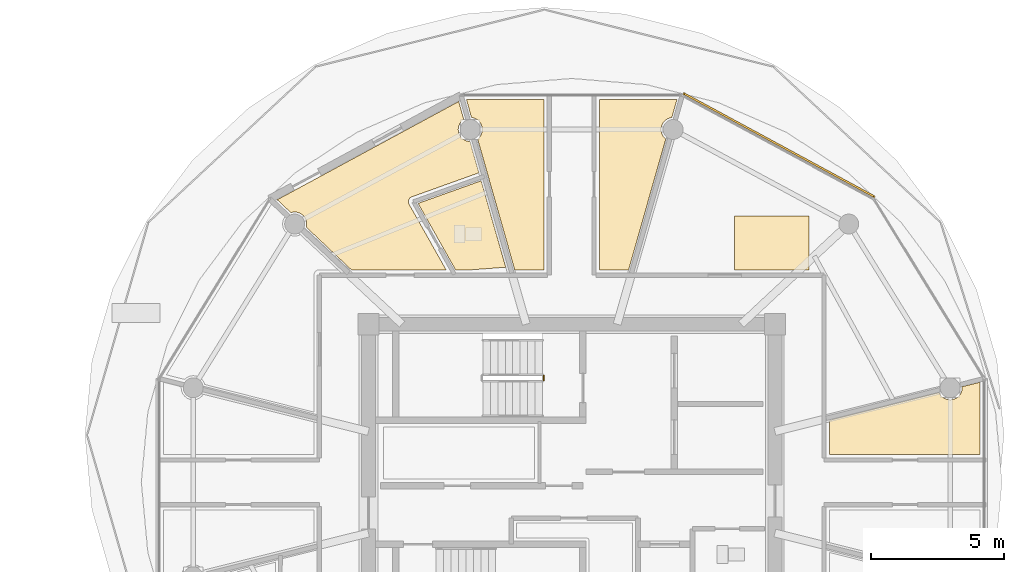
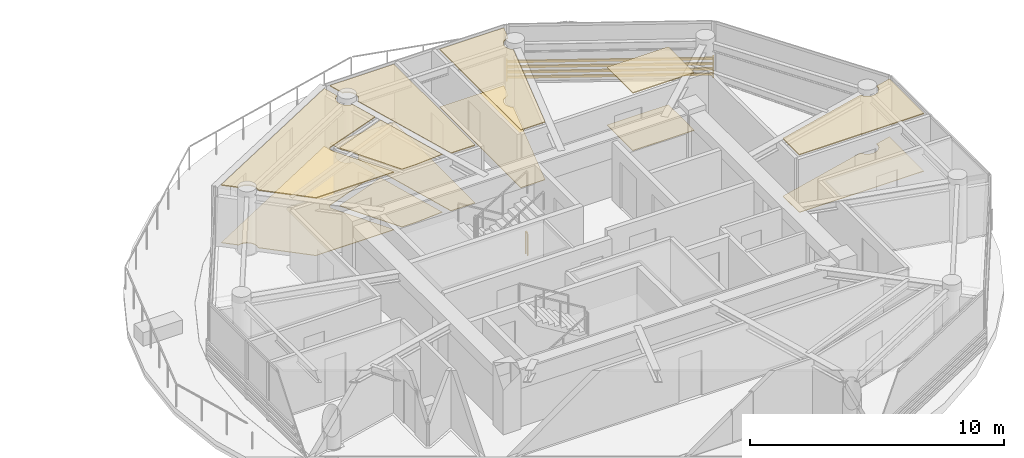
# One storey, part 26 of 28: 12 coverings, 1 railing, 1 shading device.
"""IFC4 building model written with IfcOpenShell, lengths in metres."""

from ifc_helpers import new_model, si_unit, direction, frame, origin, origin_2d, place, context, subcontext, project, spatial, polyline, rectangle, outline, extrude, source, transform, mapped, material, layer, layer_set, type_object, type_shapes, element, save


model = new_model("IFC4")

# Units and contexts
model_context = context("Model", 3, precision=1e-05, world=origin(), true_north=direction((0.0, 1.0)))
body_context = subcontext(model_context, "Body", "Model", "MODEL_VIEW")
ifc_project = project(units=[si_unit("LENGTHUNIT", "METRE"), si_unit("AREAUNIT", "SQUARE_METRE"), si_unit("VOLUMEUNIT", "CUBIC_METRE"), si_unit("PLANEANGLEUNIT", "RADIAN"), si_unit("MASSUNIT", "GRAM", prefix="KILO")], contexts=[model_context])

# Site, building, storey
site_placement = place(None, origin())
site = spatial("IfcSite", under=ifc_project, at=site_placement, CompositionType="ELEMENT")
building_placement = place(site_placement, origin())
building = spatial("IfcBuilding", under=site, at=building_placement, Name="Norrkilde Senior Care Towers", CompositionType="ELEMENT")
storey_placement = place(building_placement, frame((0.0, 0.0, 190.64990234375)))
storey = spatial("IfcBuildingStorey", under=building, at=storey_placement, Name="L59", CompositionType="ELEMENT", Elevation=190.64990234375)

# Coverings
ifc_material_1 = material(Name="Nordic Ash Timber", Category="wood")
ifc_layer_1 = layer(ifc_material_1, 0.044921875)
ifc_layer_set_1 = layer_set([ifc_layer_1], Name="Nordic Ash Timber")
covering_type_1 = type_object("IfcCoveringType", Name="Acoustic Ash Timber Slatted Ceiling 45", PredefinedType="CEILING", material=ifc_layer_set_1)
covering_1_placement = place(storey_placement, frame((0.0, 0.0, 2.76513671875)))
element("IfcCovering", 1, at=covering_1_placement, inside=storey, type_object=covering_type_1, Name="L59 Suspended Ceiling 0358", PredefinedType="CEILING", context=body_context, shape_type="SweptSolid", body=[
    extrude(outline(polyline([(26.9599609375, 14.407470703125), (26.9599609375, 8.0), (25.855224609375, 8.0), (24.458251953125, 12.924560546875), (24.504150390625, 12.959716796875), (24.576416015625, 13.053955078125), (24.621826171875, 13.163818359375), (24.637451171875, 13.281494140625), (24.621826171875, 13.399169921875), (24.576416015625, 13.509033203125), (24.504150390625, 13.603271484375), (24.409912109375, 13.675537109375), (24.30029296875, 13.720947265625), (24.229736328125, 13.730224609375), (24.03759765625, 14.407470703125), (26.9599609375, 14.407470703125)])), origin(), (0.0, 0.0, 1.0), 0.044921875),
])
covering_2_placement = place(storey_placement, frame((0.0, 0.0, 2.76513671875)))
element("IfcCovering", 2, at=covering_2_placement, inside=storey, type_object=covering_type_1, Name="L59 Suspended Ceiling 0359", PredefinedType="CEILING", context=body_context, shape_type="SweptSolid", body=[
    extrude(outline(polyline([(31.96240234375, 14.407470703125), (31.770263671875, 13.730224609375), (31.69970703125, 13.720947265625), (31.590087890625, 13.675537109375), (31.495849609375, 13.603271484375), (31.423583984375, 13.509033203125), (31.378173828125, 13.399169921875), (31.362548828125, 13.281494140625), (31.378173828125, 13.163818359375), (31.423583984375, 13.053955078125), (31.495849609375, 12.959716796875), (31.541748046875, 12.924560546875), (30.144775390625, 8.0), (29.0400390625, 8.0), (29.0400390625, 14.407470703125), (31.96240234375, 14.407470703125)])), origin(), (0.0, 0.0, 1.0), 0.044921875),
])
covering_3_placement = place(storey_placement, frame((0.0, 0.0, 2.76513671875)))
element("IfcCovering", 3, at=covering_3_placement, inside=storey, type_object=covering_type_1, Name="L59 Suspended Ceiling 0361", PredefinedType="CEILING", context=body_context, shape_type="SweptSolid", body=[
    extrude(outline(polyline([(43.37353515625, 1.0400390625), (37.699951171875, 1.0400390625), (37.699951171875, 2.331298828125), (41.834228515625, 3.377685546875), (41.853271484375, 3.331298828125), (41.92578125, 3.237060546875), (42.02001953125, 3.164794921875), (42.129638671875, 3.119384765625), (42.247314453125, 3.103759765625), (42.365234375, 3.119384765625), (42.474853515625, 3.164794921875), (42.569091796875, 3.237060546875), (42.641357421875, 3.331298828125), (42.68701171875, 3.44091796875), (42.702392578125, 3.558837890625), (42.697509765625, 3.59619140625), (43.37353515625, 3.76708984375), (43.37353515625, 1.0400390625)])), origin(), (0.0, 0.0, 1.0), 0.044921875),
])
covering_4_placement = place(storey_placement, frame((0.0, 0.0, 2.76513671875)))
element("IfcCovering", 4, at=covering_4_placement, inside=storey, type_object=covering_type_1, Name="L59 Suspended Ceiling 0362", PredefinedType="CEILING", context=body_context, shape_type="SweptSolid", body=[
    extrude(outline(polyline([(34.134765625, 10.033935546875), (36.934814453125, 10.033935546875), (36.934814453125, 8.0), (34.134765625, 8.0), (34.134765625, 10.033935546875)])), origin(), (0.0, 0.0, 1.0), 0.044921875),
])
covering_5_placement = place(storey_placement, frame((0.0, 0.0, 2.76513671875)))
element("IfcCovering", 5, at=covering_5_placement, inside=storey, type_object=covering_type_1, Name="L59 Suspended Ceiling 0363", PredefinedType="CEILING", context=body_context, shape_type="SweptSolid", body=[
    extrude(outline(polyline([(21.9404296875, 10.7255859375), (21.934814453125, 10.7216796875), (21.925537109375, 10.71484375), (21.920166015625, 10.710693359375), (21.91162109375, 10.702880859375), (21.90673828125, 10.6982421875), (21.89892578125, 10.689697265625), (21.89453125, 10.684326171875), (21.8876953125, 10.675048828125), (21.8837890625, 10.66943359375), (21.877685546875, 10.65966796875), (21.87451171875, 10.65380859375), (21.869384765625, 10.643310546875), (21.86669921875, 10.63720703125), (21.86279296875, 10.626220703125), (21.860595703125, 10.619873046875), (21.857666015625, 10.608642578125), (21.856201171875, 10.60205078125), (21.8544921875, 10.590576171875), (21.853515625, 10.583740234375), (21.852783203125, 10.572265625), (21.852783203125, 10.5654296875), (21.85302734375, 10.553955078125), (21.853515625, 10.547119140625), (21.85498046875, 10.53564453125), (21.856201171875, 10.529052734375), (21.85888671875, 10.517578125), (21.860595703125, 10.51123046875), (21.8642578125, 10.500244140625), (21.86669921875, 10.493896484375), (21.871337890625, 10.483154296875), (21.87451171875, 10.47705078125), (21.877197265625, 10.471923828125), (23.27099609375, 8.0), (19.705322265625, 8.0), (18.0087890625, 9.6025390625), (18.009765625, 9.60498046875), (18.025146484375, 9.72265625), (18.009765625, 9.840576171875), (17.964111328125, 9.9501953125), (17.891845703125, 10.04443359375), (17.797607421875, 10.11669921875), (17.68798828125, 10.162109375), (17.570068359375, 10.177734375), (17.452392578125, 10.162109375), (17.42724609375, 10.15185546875), (16.91357421875, 10.636962890625), (23.746337890625, 14.335693359375), (23.937255859375, 13.662109375), (23.860595703125, 13.603271484375), (23.788330078125, 13.509033203125), (23.742919921875, 13.399169921875), (23.7275390625, 13.281494140625), (23.742919921875, 13.163818359375), (23.788330078125, 13.053955078125), (23.860595703125, 12.959716796875), (23.954833984375, 12.887451171875), (24.064697265625, 12.842041015625), (24.174072265625, 12.82763671875), (24.508056640625, 11.650634765625), (21.978515625, 10.744140625), (21.97314453125, 10.7421875), (21.966796875, 10.739501953125), (21.956298828125, 10.734619140625), (21.950439453125, 10.7314453125), (21.9404296875, 10.7255859375)])), origin(), (0.0, 0.0, 1.0), 0.044921875),
])
ifc_material_2 = material(Name="Gypsum Acoustic Board")
ifc_layer_2 = layer(ifc_material_2, 0.030029296875)
ifc_layer_set_2 = layer_set([ifc_layer_2], Name="Gypsum Acoustic Board")
covering_type_2 = type_object("IfcCoveringType", Name="Medical Cleanable Gypsum Ceiling 30", PredefinedType="CEILING", material=ifc_layer_set_2)
covering_6_placement = place(storey_placement, frame((0.0, 0.0, 2.780029296875)))
element("IfcCovering", 6, at=covering_6_placement, inside=storey, type_object=covering_type_2, Name="L59 Suspended Ceiling 0364", PredefinedType="CEILING", context=body_context, shape_type="SweptSolid", body=[
    extrude(outline(polyline([(22.217041015625, 10.50048828125), (24.5927734375, 11.3515625), (25.516357421875, 8.095458984375), (24.24609375, 8.0), (23.626953125, 8.0), (22.217041015625, 10.50048828125)])), origin(), (0.0, 0.0, 1.0), 0.030029296875),
])
ifc_material_3 = material(Name="Slip-Resistant Porcelain Stone", Category="masonry")
ifc_layer_3 = layer(ifc_material_3, 0.02490234375)
ifc_layer_set_3 = layer_set([ifc_layer_3], Name="Slip-Resistant Porcelain Stone")
covering_type_3 = type_object("IfcCoveringType", Name="Slip-Resistant Porcelain Flooring 25", PredefinedType="FLOORING", material=ifc_layer_set_3)
covering_7_placement = place(storey_placement, origin())
element("IfcCovering", 7, at=covering_7_placement, inside=storey, type_object=covering_type_3, Name="L59 Floor Finish 0358", PredefinedType="FLOORING", context=body_context, shape_type="SweptSolid", body=[
    extrude(outline(polyline([(26.9599609375, 14.407470703125), (26.9599609375, 8.0), (25.855224609375, 8.0), (24.458251953125, 12.924560546875), (24.504150390625, 12.959716796875), (24.576416015625, 13.053955078125), (24.621826171875, 13.163818359375), (24.637451171875, 13.281494140625), (24.621826171875, 13.399169921875), (24.576416015625, 13.509033203125), (24.504150390625, 13.603271484375), (24.409912109375, 13.675537109375), (24.30029296875, 13.720947265625), (24.229736328125, 13.730224609375), (24.03759765625, 14.407470703125), (26.9599609375, 14.407470703125)])), origin(), (0.0, 0.0, 1.0), 0.025146484375),
])
covering_8_placement = place(storey_placement, origin())
element("IfcCovering", 8, at=covering_8_placement, inside=storey, type_object=covering_type_3, Name="L59 Floor Finish 0359", PredefinedType="FLOORING", context=body_context, shape_type="SweptSolid", body=[
    extrude(outline(polyline([(31.96240234375, 14.407470703125), (31.770263671875, 13.730224609375), (31.69970703125, 13.720947265625), (31.590087890625, 13.675537109375), (31.495849609375, 13.603271484375), (31.423583984375, 13.509033203125), (31.378173828125, 13.399169921875), (31.362548828125, 13.281494140625), (31.378173828125, 13.163818359375), (31.423583984375, 13.053955078125), (31.495849609375, 12.959716796875), (31.541748046875, 12.924560546875), (30.144775390625, 8.0), (29.0400390625, 8.0), (29.0400390625, 14.407470703125), (31.96240234375, 14.407470703125)])), origin(), (0.0, 0.0, 1.0), 0.025146484375),
])
covering_9_placement = place(storey_placement, origin())
element("IfcCovering", 9, at=covering_9_placement, inside=storey, type_object=covering_type_3, Name="L59 Floor Finish 0361", PredefinedType="FLOORING", context=body_context, shape_type="SweptSolid", body=[
    extrude(outline(polyline([(43.37353515625, 1.0400390625), (37.699951171875, 1.0400390625), (37.699951171875, 2.331298828125), (41.834228515625, 3.377685546875), (41.853271484375, 3.331298828125), (41.92578125, 3.237060546875), (42.02001953125, 3.164794921875), (42.129638671875, 3.119384765625), (42.247314453125, 3.103759765625), (42.365234375, 3.119384765625), (42.474853515625, 3.164794921875), (42.569091796875, 3.237060546875), (42.641357421875, 3.331298828125), (42.68701171875, 3.44091796875), (42.702392578125, 3.558837890625), (42.697509765625, 3.59619140625), (43.37353515625, 3.76708984375), (43.37353515625, 1.0400390625)])), origin(), (0.0, 0.0, 1.0), 0.025146484375),
])
covering_10_placement = place(storey_placement, origin())
element("IfcCovering", 10, at=covering_10_placement, inside=storey, type_object=covering_type_3, Name="L59 Floor Finish 0362", PredefinedType="FLOORING", context=body_context, shape_type="SweptSolid", body=[
    extrude(outline(polyline([(34.134765625, 10.033935546875), (36.934814453125, 10.033935546875), (36.934814453125, 8.0), (34.134765625, 8.0), (34.134765625, 10.033935546875)])), origin(), (0.0, 0.0, 1.0), 0.025146484375),
])
covering_11_placement = place(storey_placement, origin())
element("IfcCovering", 11, at=covering_11_placement, inside=storey, type_object=covering_type_3, Name="L59 Floor Finish 0363", PredefinedType="FLOORING", context=body_context, shape_type="SweptSolid", body=[
    extrude(outline(polyline([(21.9404296875, 10.7255859375), (21.934814453125, 10.7216796875), (21.925537109375, 10.71484375), (21.920166015625, 10.710693359375), (21.91162109375, 10.702880859375), (21.90673828125, 10.6982421875), (21.89892578125, 10.689697265625), (21.89453125, 10.684326171875), (21.8876953125, 10.675048828125), (21.8837890625, 10.66943359375), (21.877685546875, 10.65966796875), (21.87451171875, 10.65380859375), (21.869384765625, 10.643310546875), (21.86669921875, 10.63720703125), (21.86279296875, 10.626220703125), (21.860595703125, 10.619873046875), (21.857666015625, 10.608642578125), (21.856201171875, 10.60205078125), (21.8544921875, 10.590576171875), (21.853515625, 10.583740234375), (21.852783203125, 10.572265625), (21.852783203125, 10.5654296875), (21.85302734375, 10.553955078125), (21.853515625, 10.547119140625), (21.85498046875, 10.53564453125), (21.856201171875, 10.529052734375), (21.85888671875, 10.517578125), (21.860595703125, 10.51123046875), (21.8642578125, 10.500244140625), (21.86669921875, 10.493896484375), (21.871337890625, 10.483154296875), (21.87451171875, 10.47705078125), (21.877197265625, 10.471923828125), (23.27099609375, 8.0), (19.705322265625, 8.0), (18.0087890625, 9.6025390625), (18.009765625, 9.60498046875), (18.025146484375, 9.72265625), (18.009765625, 9.840576171875), (17.964111328125, 9.9501953125), (17.891845703125, 10.04443359375), (17.797607421875, 10.11669921875), (17.68798828125, 10.162109375), (17.570068359375, 10.177734375), (17.452392578125, 10.162109375), (17.42724609375, 10.15185546875), (16.91357421875, 10.636962890625), (23.746337890625, 14.335693359375), (23.937255859375, 13.662109375), (23.860595703125, 13.603271484375), (23.788330078125, 13.509033203125), (23.742919921875, 13.399169921875), (23.7275390625, 13.281494140625), (23.742919921875, 13.163818359375), (23.788330078125, 13.053955078125), (23.860595703125, 12.959716796875), (23.954833984375, 12.887451171875), (24.064697265625, 12.842041015625), (24.174072265625, 12.82763671875), (24.508056640625, 11.650634765625), (21.978515625, 10.744140625), (21.97314453125, 10.7421875), (21.966796875, 10.739501953125), (21.956298828125, 10.734619140625), (21.950439453125, 10.7314453125), (21.9404296875, 10.7255859375)])), origin(), (0.0, 0.0, 1.0), 0.025146484375),
])
covering_12_placement = place(storey_placement, origin())
element("IfcCovering", 12, at=covering_12_placement, inside=storey, type_object=covering_type_3, Name="L59 Floor Finish 0364", PredefinedType="FLOORING", context=body_context, shape_type="SweptSolid", body=[
    extrude(outline(polyline([(22.217041015625, 10.50048828125), (24.5927734375, 11.3515625), (25.516357421875, 8.095458984375), (24.24609375, 8.0), (23.626953125, 8.0), (22.217041015625, 10.50048828125)])), origin(), (0.0, 0.0, 1.0), 0.025146484375),
])

# Railing
ifc_material_4 = material(Name="Stainless Steel", Category="steel")
railing_type = type_object("IfcRailingType", Name="Stair and Terrace Guardrail 1100", PredefinedType="GUARDRAIL", material=ifc_material_4)
railing_placement = place(storey_placement, frame((26.949951171875, 4.0, 0.0)))
element("IfcRailing", 13, at=railing_placement, inside=storey, type_object=railing_type, Name="L59 ST-E1 stair guard 4", PredefinedType="GUARDRAIL", context=body_context, shape_type="SweptSolid", body=[
    extrude(rectangle(XDim=0.048095703125, YDim=0.048095703125, at=origin_2d()), frame((0.0, 0.0, 1.076171875), z_axis=(0.0, -1.0, 0.0), x_axis=(1.0, 0.0, 0.0)), (0.0, 0.0, 1.0), 0.14990234375),
    extrude(rectangle(XDim=0.0419921875, YDim=0.0419921875, at=origin_2d()), origin(), (0.0, 0.0, 1.0), 1.050048828125),
    extrude(rectangle(XDim=0.0419921875, YDim=0.0419921875, at=origin_2d()), frame((0.0, -0.14990234375, 0.0)), (0.0, 0.0, 1.0), 1.050048828125),
])

# Shading device
ifc_material_5 = material(Name="Architectural Terracotta", Category="masonry")
shading_device_type = type_object("IfcShadingDeviceType", Name="Horizontal Terracotta Baguette Rack", PredefinedType="USERDEFINED", material=ifc_material_5)
shared_shape = source(origin(), body_context, "Body", "SweptSolid", [
    extrude(rectangle(XDim=0.070068359375, YDim=0.110107421875, at=origin_2d()), frame((0.0, 0.090087890625, 0.125), z_axis=(1.0, 0.0, 0.0), x_axis=(0.0, 1.0, 0.0)), (0.0, 0.0, 1.0), 8.197265625),
    extrude(rectangle(XDim=0.070068359375, YDim=0.110107421875, at=origin_2d()), frame((0.0, 0.090087890625, 0.375), z_axis=(1.0, 0.0, 0.0), x_axis=(0.0, 1.0, 0.0)), (0.0, 0.0, 1.0), 8.197265625),
    extrude(rectangle(XDim=0.070068359375, YDim=0.110107421875, at=origin_2d()), frame((0.0, 0.090087890625, 0.625), z_axis=(1.0, 0.0, 0.0), x_axis=(0.0, 1.0, 0.0)), (0.0, 0.0, 1.0), 8.197265625),
    extrude(rectangle(XDim=0.070068359375, YDim=0.110107421875, at=origin_2d()), frame((0.0, 0.090087890625, 0.875), z_axis=(1.0, 0.0, 0.0), x_axis=(0.0, 1.0, 0.0)), (0.0, 0.0, 1.0), 8.197265625),
    extrude(rectangle(XDim=0.050048828125, YDim=0.1552734375, at=origin_2d()), frame((0.02490234375, 0.047607421875, 0.0)), (0.0, 0.0, 1.0), 1.0),
    extrude(rectangle(XDim=0.050048828125, YDim=0.1552734375, at=origin_2d()), frame((8.17236328125, 0.047607421875, 0.0)), (0.0, 0.0, 1.0), 1.0),
])
type_shapes(shading_device_type, [shared_shape])
shading_device_placement = place(storey_placement, frame((32.161865234375, 14.566162109375, 0.080078125), z_axis=(0.0, 0.0, 1.0), x_axis=(0.879378127234, -0.476143674053, 0.0)))
element("IfcShadingDevice", 14, at=shading_device_placement, inside=storey, type_object=shading_device_type, Name="L59 Drum E Terracotta Baguette Screen 01", ObjectType="BAGUETTE", PredefinedType="USERDEFINED", context=body_context, shape_type="MappedRepresentation", body=[
    mapped(shared_shape, transform((0.0, 0.0, 0.0), x_axis=(1.0, 0.0, 0.0), y_axis=(0.0, 1.0, 0.0), z_axis=(0.0, 0.0, 1.0), scale=1.0)),
])

save(model, "model.ifc")
